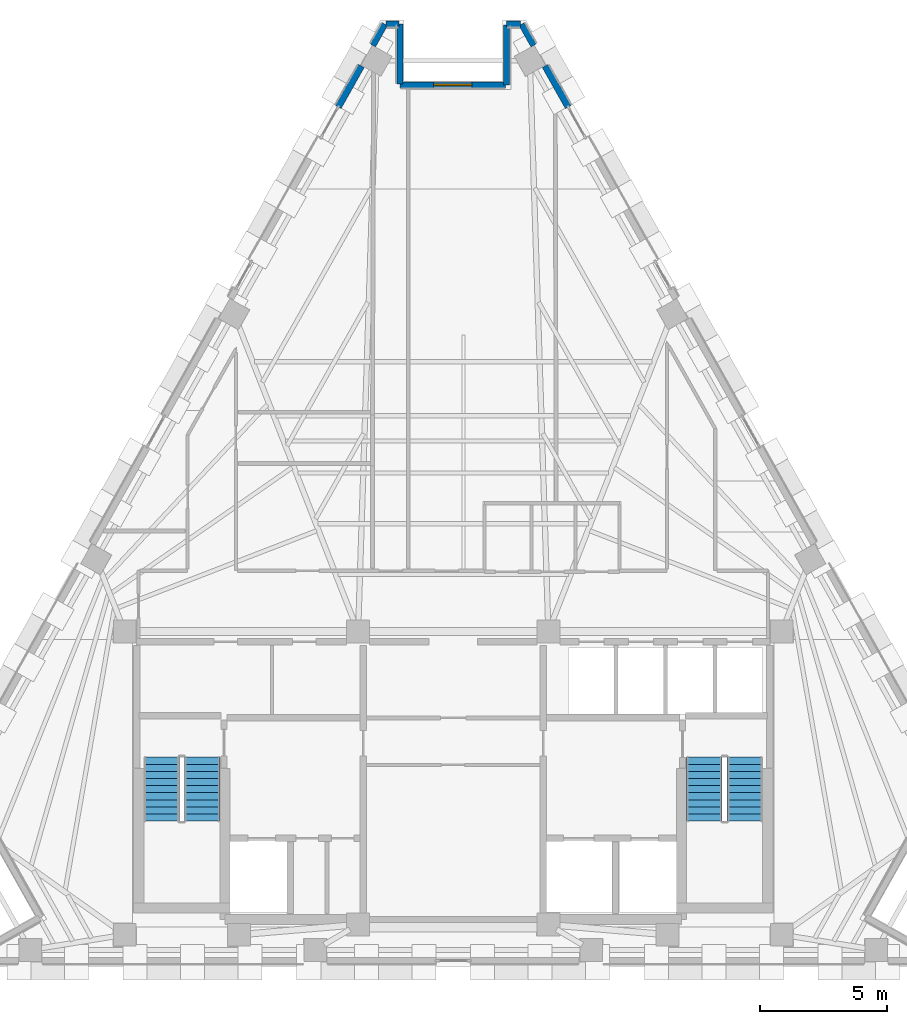
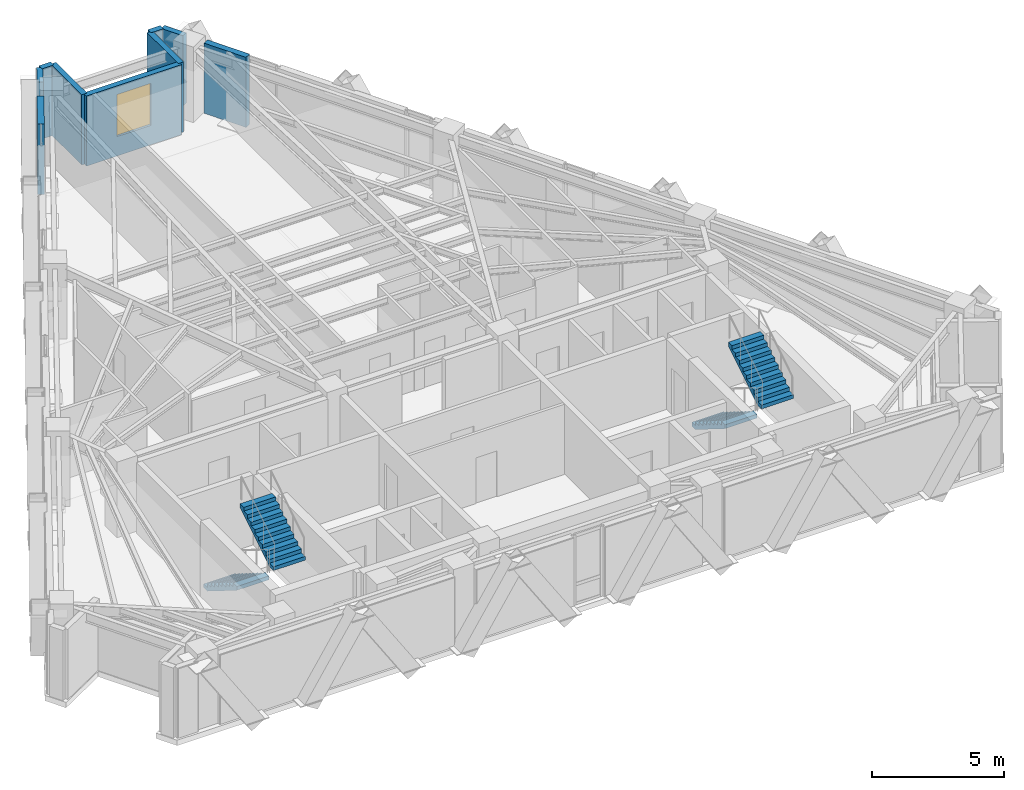
# One storey, part 9 of 12: 9 walls, 4 stair flights, 1 window, 1 opening, 2 elements without a shape of their own.
"""IFC4 building model written with IfcOpenShell, lengths in metres."""

from ifc_helpers import new_model, si_unit, direction, frame, frame_2d, origin, place, context, subcontext, project, spatial, polyline, rectangle, outline, extrude, material, layer, layer_set, type_object, element, fill, aggregate, save


model = new_model("IFC4")

# Units and contexts
model_context = context("Model", 3, precision=1e-05, world=origin(), true_north=direction((0.0, 1.0)))
body_context = subcontext(model_context, "Body", "Model", "MODEL_VIEW")
ifc_project = project(units=[si_unit("LENGTHUNIT", "METRE"), si_unit("AREAUNIT", "SQUARE_METRE"), si_unit("VOLUMEUNIT", "CUBIC_METRE"), si_unit("PLANEANGLEUNIT", "RADIAN"), si_unit("MASSUNIT", "GRAM", prefix="KILO")], contexts=[model_context])

# Site, building, storey
site_placement = place(None, origin())
site = spatial("IfcSite", under=ifc_project, at=site_placement, CompositionType="ELEMENT")
building_placement = place(site_placement, origin())
building = spatial("IfcBuilding", under=site, at=building_placement, Name="Quenlor Broadcast Tower", CompositionType="ELEMENT")
storey_placement = place(building_placement, frame((0.0, 0.0, 218.39990234375)))
storey = spatial("IfcBuildingStorey", under=building, at=storey_placement, Name="L60", CompositionType="ELEMENT", Elevation=218.39990234375)

# Walls
ifc_material_1 = material(Name="Precast concrete C40/50", Category="concrete")
ifc_layer_1 = layer(ifc_material_1, 0.239990234375)
ifc_layer_set_1 = layer_set([ifc_layer_1], Name="Terrace Threshold Precast Concrete C40/50 Wall 240")
wall_type_1 = type_object("IfcWallType", Name="Terrace Threshold Precast Concrete C40/50 Wall 240", PredefinedType="STANDARD", material=ifc_layer_set_1)
for number, where, z_axis, x_axis, name in (
    (1, (2.6953125, 19.1494140625, 0.0), (0.0, 0.0, 1.0), (0.490345412687, -0.87152818443, 0.0), "L60 Exterior Wall L60-SHD-NES0"),
    (2, (-3.16796875, 18.309326171875, 0.0), (0.0, 0.0, 1.0), (0.490345412687, 0.87152818443, 0.0), "L60 Exterior Wall L60-SHD-NWS1"),
):
    element("IfcWall", number, at=place(storey_placement, frame(where, z_axis=z_axis, x_axis=x_axis)), inside=storey, type_object=wall_type_1, Name=name, PredefinedType="STANDARD", context=body_context, shape_type="SweptSolid", body=[
        extrude(rectangle(XDim=0.9638671875, YDim=0.239990234375, at=frame_2d((0.48193359375, 0.0))), origin(), (0.0, 0.0, 1.0), 3.25),
    ])
wall_1_placement = place(storey_placement, frame((2.658447265625, 19.152099609375, 0.0), z_axis=(0.0, 0.0, 1.0), x_axis=(-1.0, 0.0, 0.0)))
element("IfcWall", 3, at=wall_1_placement, inside=storey, type_object=wall_type_1, Name="L60 Exterior Wall L60-CNR-06", PredefinedType="STANDARD", context=body_context, shape_type="SweptSolid", body=[
    extrude(rectangle(XDim=0.55224609375, YDim=0.239990234375, at=frame_2d((0.276123046875, 0.0))), origin(), (0.0, 0.0, 1.0), 3.25),
])
wall_2_placement = place(storey_placement, frame((2.106201171875, 19.112060546875, 0.0), z_axis=(0.0, 0.0, 1.0), x_axis=(0.0, -1.0, 0.0)))
element("IfcWall", 4, at=wall_2_placement, inside=storey, type_object=wall_type_1, Name="L60 Exterior Wall L60-CNR-07", PredefinedType="STANDARD", context=body_context, shape_type="SweptSolid", body=[
    extrude(rectangle(XDim=2.360107421875, YDim=0.239990234375, at=frame_2d((1.18017578125, 0.0))), origin(), (0.0, 0.0, 1.0), 3.25),
])

# Wall, opening, window
wall_3_placement = place(storey_placement, frame((2.066162109375, 16.751953125, 0.0), z_axis=(0.0, 0.0, 1.0), x_axis=(-1.0, 0.0, 0.0)))
wall_3 = element("IfcWall", 5, at=wall_3_placement, inside=storey, type_object=wall_type_1, Name="L60 Exterior Wall L60-CNR-08", PredefinedType="STANDARD", context=body_context, shape_type="SweptSolid", body=[
    extrude(rectangle(XDim=4.17236328125, YDim=0.239990234375, at=frame_2d((2.086181640625, 0.0))), origin(), (0.0, 0.0, 1.0), 3.25),
])
opening_placement = place(wall_3_placement, frame((1.3359375, 0.0, 0.89990234375)))
opening = element("IfcOpeningElement", 6, at=opening_placement, cuts=wall_3, Name="Opening WN-3", PredefinedType="OPENING", context=body_context, shape_type="SweptSolid", body=[
    extrude(rectangle(XDim=1.5, YDim=1.949951171875, at=frame_2d((0.75, 0.97509765625))), frame((0.0, 0.1298828125, 0.0), z_axis=(0.0, -1.0, 0.0), x_axis=(1.0, 0.0, 0.0)), (0.0, 0.0, 1.0), 0.260009765625),
])
ifc_material_2 = material(Name="Thermally Broken Aluminium and Low-E Glass", Category="aluminium")
window_type = type_object("IfcWindowType", Name="Upper Tower Facade Window 1500x1950", PartitioningType="SINGLE_PANEL", PredefinedType="WINDOW", material=ifc_material_2)
window_placement = place(opening_placement, origin())
window = element("IfcWindow", 7, at=window_placement, inside=storey, type_object=window_type, Name="L60 Corner Chamfer Window 8", OverallHeight=1.949951171875, OverallWidth=1.5, PartitioningType="SINGLE_PANEL", PredefinedType="WINDOW", context=body_context, shape_type="SweptSolid", body=[
    extrude(rectangle(XDim=1.5, YDim=1.949951171875, at=frame_2d((0.75, 0.97509765625))), frame((0.0, 0.030029296875, 0.0), z_axis=(0.0, -1.0, 0.0), x_axis=(1.0, 0.0, 0.0)), (0.0, 0.0, 1.0), 0.06005859375),
])
fill(opening, window)

# Walls
wall_4_placement = place(storey_placement, frame((-2.106201171875, 16.7919921875, 0.0), z_axis=(0.0, 0.0, 1.0), x_axis=(0.0, 1.0, 0.0)))
element("IfcWall", 8, at=wall_4_placement, inside=storey, type_object=wall_type_1, Name="L60 Exterior Wall L60-CNR-09", PredefinedType="STANDARD", context=body_context, shape_type="SweptSolid", body=[
    extrude(rectangle(XDim=2.360107421875, YDim=0.239990234375, at=frame_2d((1.18017578125, 0.0))), origin(), (0.0, 0.0, 1.0), 3.25),
])
wall_5_placement = place(storey_placement, frame((-2.146240234375, 19.152099609375, 0.0), z_axis=(0.0, 0.0, 1.0), x_axis=(-1.0, 0.0, 0.0)))
element("IfcWall", 9, at=wall_5_placement, inside=storey, type_object=wall_type_1, Name="L60 Exterior Wall L60-CNR-10", PredefinedType="STANDARD", context=body_context, shape_type="SweptSolid", body=[
    extrude(rectangle(XDim=0.51220703125, YDim=0.239990234375, at=frame_2d((0.256103515625, 0.0))), origin(), (0.0, 0.0, 1.0), 3.25),
])
ifc_material_3 = material(Name="Precast concrete C40/50", Category="concrete")
ifc_layer_2 = layer(ifc_material_3, 0.260009765625)
ifc_layer_set_2 = layer_set([ifc_layer_2], Name="Terracotta Precast Concrete C40/50 Upper Wall 260")
wall_type_2 = type_object("IfcWallType", Name="Terracotta Precast Concrete C40/50 Upper Wall 260", PredefinedType="STANDARD", material=ifc_layer_set_2)
for number, where, z_axis, x_axis, name in (
    (10, (3.623779296875, 17.498779296875, 0.0), (0.0, 0.0, 1.0), (0.490261239633, -0.871575537125, 0.0), "L60 Exterior Wall L60-NEA-SP1"),
    (11, (-4.533447265625, 15.881591796875, 0.0), (0.0, 0.0, 1.0), (0.490261239633, 0.871575537125, 0.0), "L60 Exterior Wall L60-NWC-SP3"),
):
    element("IfcWall", number, at=place(storey_placement, frame(where, z_axis=z_axis, x_axis=x_axis)), inside=storey, type_object=wall_type_2, Name=name, PredefinedType="STANDARD", context=body_context, shape_type="SweptSolid", body=[
        extrude(rectangle(XDim=1.85546875, YDim=0.260009765625, at=frame_2d((0.927734375, 0.0))), origin(), (0.0, 0.0, 1.0), 3.25),
    ])

# Stair, stair flights
ifc_material_4 = material(Name="Precast concrete C40/50", Category="concrete")
stair_type = type_object("IfcStairType", Name="Precast Concrete C40/50 Dogleg Stair H350", PredefinedType="HALF_TURN_STAIR", material=ifc_material_4)
stair_1_placement = place(storey_placement, origin())
stair_1 = element("IfcStair", 12, at=stair_1_placement, inside=storey, type_object=stair_type, Name="L60 West Core Fire-Isolated Exit Stair ST-1", PredefinedType="HALF_TURN_STAIR")
ifc_material_5 = material(Name="Precast concrete C40/50", Category="concrete")
ifc_layer_3 = layer(ifc_material_5, 0.159912109375)
ifc_layer_set_3 = layer_set([ifc_layer_3], Name="Precast Concrete C40/50 Stair Flight H350")
stair_flight_type = type_object("IfcStairFlightType", Name="Precast Concrete C40/50 Stair Flight H350", PredefinedType="STRAIGHT", material=ifc_layer_set_3)
stair_flight_1_placement = place(storey_placement, frame((-11.5, -9.75, 0.0), z_axis=(0.0, 0.0, 1.0), x_axis=(0.0, -1.0, 0.0)))
stair_flight_1 = element("IfcStairFlight", 13, at=stair_flight_1_placement, type_object=stair_flight_type, Name="ST-1 flight 1", NumberOfRisers=10, NumberOfTreads=9, PredefinedType="STRAIGHT", RiserHeight=0.175, TreadLength=0.28, context=body_context, shape_type="SweptSolid", body=[
    extrude(outline(polyline([(0.0, 0.0), (0.0, 0.175048828125), (0.280029296875, 0.175048828125), (0.280029296875, 0.35009765625), (0.56005859375, 0.35009765625), (0.56005859375, 0.52490234375), (0.840087890625, 0.52490234375), (0.840087890625, 0.699951171875), (1.1201171875, 0.699951171875), (1.1201171875, 0.875), (1.39990234375, 0.875), (1.39990234375, 1.050048828125), (1.679931640625, 1.050048828125), (1.679931640625, 1.22509765625), (1.9599609375, 1.22509765625), (1.9599609375, 1.39990234375), (2.239990234375, 1.39990234375), (2.239990234375, 1.574951171875), (2.52001953125, 1.574951171875), (2.52001953125, 1.75), (2.52001953125, 1.398193359375), (0.28271484375, 0.0), (0.0, 0.0)])), frame((0.0, 0.699951171875, 0.0), z_axis=(0.0, -1.0, 0.0), x_axis=(1.0, 0.0, 0.0)), (0.0, 0.0, 1.0), 1.39990234375),
])
stair_flight_2_placement = place(storey_placement, frame((-9.89990234375, -12.27001953125, 1.75), z_axis=(0.0, 0.0, 1.0), x_axis=(0.0, 1.0, 0.0)))
stair_flight_2 = element("IfcStairFlight", 14, at=stair_flight_2_placement, type_object=stair_flight_type, Name="ST-1 flight 2", NumberOfRisers=10, NumberOfTreads=9, PredefinedType="STRAIGHT", RiserHeight=0.175, TreadLength=0.28, context=body_context, shape_type="SweptSolid", body=[
    extrude(outline(polyline([(0.0, 0.0), (0.0, 0.175048828125), (0.280029296875, 0.175048828125), (0.280029296875, 0.35009765625), (0.56005859375, 0.35009765625), (0.56005859375, 0.52490234375), (0.840087890625, 0.52490234375), (0.840087890625, 0.699951171875), (1.1201171875, 0.699951171875), (1.1201171875, 0.875), (1.39990234375, 0.875), (1.39990234375, 1.050048828125), (1.679931640625, 1.050048828125), (1.679931640625, 1.22509765625), (1.9599609375, 1.22509765625), (1.9599609375, 1.39990234375), (2.239990234375, 1.39990234375), (2.239990234375, 1.574951171875), (2.52001953125, 1.574951171875), (2.52001953125, 1.75), (2.52001953125, 1.398193359375), (0.28271484375, 0.0), (0.0, 0.0)])), frame((0.0, 0.699951171875, 0.0), z_axis=(0.0, -1.0, 0.0), x_axis=(1.0, 0.0, 0.0)), (0.0, 0.0, 1.0), 1.39990234375),
])
aggregate(stair_1, [stair_flight_1, stair_flight_2])

stair_2_placement = place(storey_placement, origin())
stair_2 = element("IfcStair", 15, at=stair_2_placement, inside=storey, type_object=stair_type, Name="L60 East Core Fire-Isolated Exit Stair ST-2", PredefinedType="HALF_TURN_STAIR")
stair_flight_3_placement = place(storey_placement, frame((9.89990234375, -9.75, 0.0), z_axis=(0.0, 0.0, 1.0), x_axis=(0.0, -1.0, 0.0)))
stair_flight_3 = element("IfcStairFlight", 16, at=stair_flight_3_placement, type_object=stair_flight_type, Name="ST-2 flight 1", NumberOfRisers=10, NumberOfTreads=9, PredefinedType="STRAIGHT", RiserHeight=0.175, TreadLength=0.28, context=body_context, shape_type="SweptSolid", body=[
    extrude(outline(polyline([(0.0, 0.0), (0.0, 0.175048828125), (0.280029296875, 0.175048828125), (0.280029296875, 0.35009765625), (0.56005859375, 0.35009765625), (0.56005859375, 0.52490234375), (0.840087890625, 0.52490234375), (0.840087890625, 0.699951171875), (1.1201171875, 0.699951171875), (1.1201171875, 0.875), (1.39990234375, 0.875), (1.39990234375, 1.050048828125), (1.679931640625, 1.050048828125), (1.679931640625, 1.22509765625), (1.9599609375, 1.22509765625), (1.9599609375, 1.39990234375), (2.239990234375, 1.39990234375), (2.239990234375, 1.574951171875), (2.52001953125, 1.574951171875), (2.52001953125, 1.75), (2.52001953125, 1.398193359375), (0.28271484375, 0.0), (0.0, 0.0)])), frame((0.0, 0.699951171875, 0.0), z_axis=(0.0, -1.0, 0.0), x_axis=(1.0, 0.0, 0.0)), (0.0, 0.0, 1.0), 1.39990234375),
])
stair_flight_4_placement = place(storey_placement, frame((11.5, -12.27001953125, 1.75), z_axis=(0.0, 0.0, 1.0), x_axis=(0.0, 1.0, 0.0)))
stair_flight_4 = element("IfcStairFlight", 17, at=stair_flight_4_placement, type_object=stair_flight_type, Name="ST-2 flight 2", NumberOfRisers=10, NumberOfTreads=9, PredefinedType="STRAIGHT", RiserHeight=0.175, TreadLength=0.28, context=body_context, shape_type="SweptSolid", body=[
    extrude(outline(polyline([(0.0, 0.0), (0.0, 0.175048828125), (0.280029296875, 0.175048828125), (0.280029296875, 0.35009765625), (0.56005859375, 0.35009765625), (0.56005859375, 0.52490234375), (0.840087890625, 0.52490234375), (0.840087890625, 0.699951171875), (1.1201171875, 0.699951171875), (1.1201171875, 0.875), (1.39990234375, 0.875), (1.39990234375, 1.050048828125), (1.679931640625, 1.050048828125), (1.679931640625, 1.22509765625), (1.9599609375, 1.22509765625), (1.9599609375, 1.39990234375), (2.239990234375, 1.39990234375), (2.239990234375, 1.574951171875), (2.52001953125, 1.574951171875), (2.52001953125, 1.75), (2.52001953125, 1.398193359375), (0.28271484375, 0.0), (0.0, 0.0)])), frame((0.0, 0.699951171875, 0.0), z_axis=(0.0, -1.0, 0.0), x_axis=(1.0, 0.0, 0.0)), (0.0, 0.0, 1.0), 1.39990234375),
])
aggregate(stair_2, [stair_flight_3, stair_flight_4])

save(model, "model.ifc")
